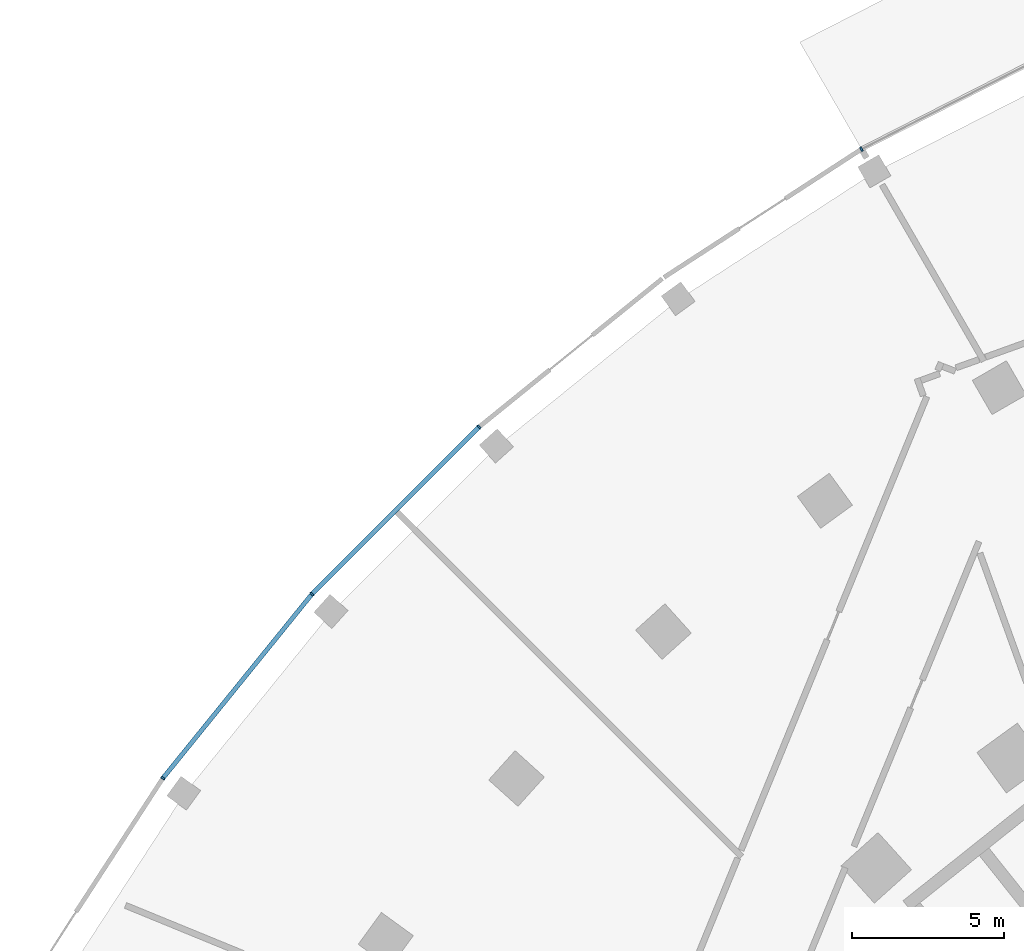
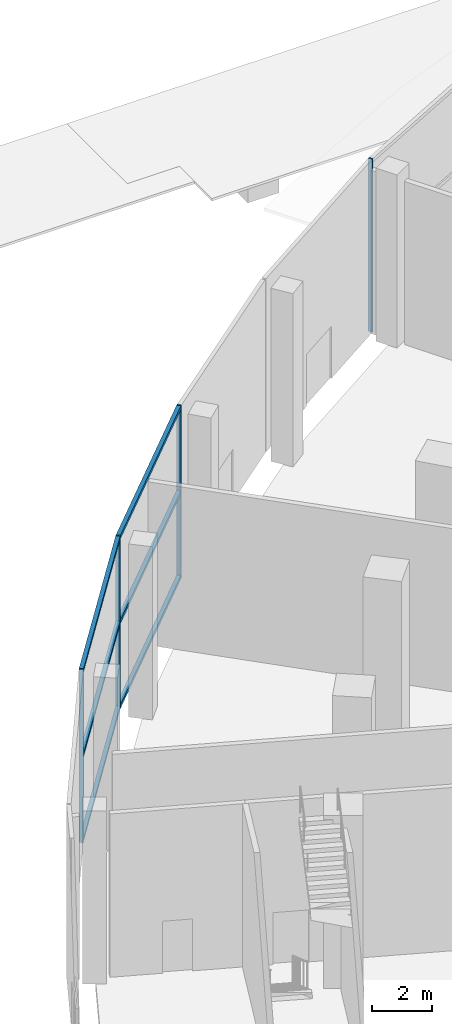
# One storey, part 8 of 60: 10 members, 1 element without a shape of its own.
"""IFC4 building model written with IfcOpenShell, lengths in metres."""

from ifc_helpers import new_model, si_unit, direction, frame, origin, origin_2d, place, context, subcontext, project, spatial, rectangle, extrude, material, layer, layer_set, material_profile, profile_set, type_object, element, aggregate, save


model = new_model("IFC4")

# Units and contexts
model_context = context("Model", 3, precision=1e-05, world=origin(), true_north=direction((0.0, 1.0)))
body_context = subcontext(model_context, "Body", "Model", "MODEL_VIEW")
ifc_project = project(units=[si_unit("LENGTHUNIT", "METRE"), si_unit("AREAUNIT", "SQUARE_METRE"), si_unit("VOLUMEUNIT", "CUBIC_METRE"), si_unit("PLANEANGLEUNIT", "RADIAN"), si_unit("MASSUNIT", "GRAM", prefix="KILO")], contexts=[model_context])

# Site, building, storey
site_placement = place(None, origin())
site = spatial("IfcSite", under=ifc_project, at=site_placement, CompositionType="ELEMENT")
building_placement = place(site_placement, origin())
building = spatial("IfcBuilding", under=site, at=building_placement, Name="Stone Belt Terrace Tower", CompositionType="ELEMENT")
storey_placement = place(building_placement, origin())
storey = spatial("IfcBuildingStorey", under=building, at=storey_placement, Name="L00", CompositionType="ELEMENT", Elevation=0.0)

# Curtain wall, members
ifc_material = material(Name="Aluminium 6063-T6 anodised frame", Category="aluminium")
ifc_layer = layer(ifc_material, 0.14990234375)
ifc_layer_set = layer_set([ifc_layer], Name="CW-D podium shopfront")
curtain_wall_type = type_object("IfcCurtainWallType", Name="CW-D podium shopfront", PredefinedType="NOTDEFINED", material=ifc_layer_set)
curtain_wall_placement = place(storey_placement, origin())
curtain_wall = element("IfcCurtainWall", 1, at=curtain_wall_placement, inside=storey, type_object=curtain_wall_type, Name="CW-D convex face L00", PredefinedType="NOTDEFINED")
ifc_material_profile_1 = material_profile(ifc_material, rectangle(XDim=0.14990234375, YDim=0.06005859375, at=origin_2d()), Name="Aluminium 6063-T6 60x150")
ifc_profile_set_1 = profile_set([ifc_material_profile_1], Name="Aluminium 6063-T6 anodised frame")
member_type_1 = type_object("IfcMemberType", Name="CW-D mullion 60 x 150", PredefinedType="MULLION", material=ifc_profile_set_1)
member_1_placement = place(storey_placement, frame((-37.28759765625, 64.583984375, 0.0), z_axis=(0.0, 0.0, 1.0), x_axis=(0.5, -0.866025403784, 0.0)))
member_1 = element("IfcMember", 2, at=member_1_placement, type_object=member_type_1, Name="CW-D mullion 18", PredefinedType="MULLION", context=body_context, shape_type="SweptSolid", body=[
    extrude(rectangle(XDim=0.14990234375, YDim=0.06005859375, at=origin_2d()), origin(), (0.0, 0.0, 1.0), 7.0),
])
member_2_placement = place(storey_placement, frame((-49.900390625, 55.420166015625, 0.0), z_axis=(0.0, 0.0, 1.0), x_axis=(0.669130606359, -0.743144825477, 0.0)))
member_2 = element("IfcMember", 3, at=member_2_placement, type_object=member_type_1, Name="CW-D mullion 20", PredefinedType="MULLION", context=body_context, shape_type="SweptSolid", body=[
    extrude(rectangle(XDim=0.14990234375, YDim=0.06005859375, at=origin_2d()), origin(), (0.0, 0.0, 1.0), 7.0),
])
member_3_placement = place(storey_placement, frame((-55.420166015625, 49.900390625, 0.0), z_axis=(0.0, 0.0, 1.0), x_axis=(0.743144825477, -0.669130606359, 0.0)))
member_3 = element("IfcMember", 4, at=member_3_placement, type_object=member_type_1, Name="CW-D mullion 21", PredefinedType="MULLION", context=body_context, shape_type="SweptSolid", body=[
    extrude(rectangle(XDim=0.14990234375, YDim=0.06005859375, at=origin_2d()), origin(), (0.0, 0.0, 1.0), 7.0),
])
member_4_placement = place(storey_placement, frame((-60.33251953125, 43.834228515625, 0.0), z_axis=(0.0, 0.0, 1.0), x_axis=(0.809016994375, -0.587785252292, 0.0)))
member_4 = element("IfcMember", 5, at=member_4_placement, type_object=member_type_1, Name="CW-D mullion 22", PredefinedType="MULLION", context=body_context, shape_type="SweptSolid", body=[
    extrude(rectangle(XDim=0.14990234375, YDim=0.06005859375, at=origin_2d()), origin(), (0.0, 0.0, 1.0), 7.0),
])
ifc_material_profile_2 = material_profile(ifc_material, rectangle(XDim=0.14990234375, YDim=0.139892578125, at=origin_2d()), Name="Aluminium 6063-T6 150x140")
ifc_profile_set_2 = profile_set([ifc_material_profile_2], Name="Aluminium 6063-T6 anodised frame")
member_type_2 = type_object("IfcMemberType", Name="CW-D transom 140 x 150", PredefinedType="USERDEFINED", material=ifc_profile_set_2)
member_5_placement = place(storey_placement, frame((-49.924560546875, 55.396240234375, 0.070068359375), z_axis=(-0.707106781187, -0.707106781187, 0.0), x_axis=(0.707106781187, -0.707106781187, 0.0)))
member_5 = element("IfcMember", 6, at=member_5_placement, type_object=member_type_2, Name="CW-D transom 20.1", ObjectType="TRANSOM", PredefinedType="USERDEFINED", context=body_context, shape_type="SweptSolid", body=[
    extrude(rectangle(XDim=0.14990234375, YDim=0.139892578125, at=origin_2d()), origin(), (0.0, 0.0, 1.0), 7.738037109375),
])
member_6_placement = place(storey_placement, frame((-49.924560546875, 55.396240234375, 3.5), z_axis=(-0.707106781187, -0.707106781187, 0.0), x_axis=(0.707106781187, -0.707106781187, 0.0)))
member_6 = element("IfcMember", 7, at=member_6_placement, type_object=member_type_2, Name="CW-D transom 20.2", ObjectType="TRANSOM", PredefinedType="USERDEFINED", context=body_context, shape_type="SweptSolid", body=[
    extrude(rectangle(XDim=0.14990234375, YDim=0.139892578125, at=origin_2d()), origin(), (0.0, 0.0, 1.0), 7.738037109375),
])
member_7_placement = place(storey_placement, frame((-49.924560546875, 55.396240234375, 6.929931640625), z_axis=(-0.707106781187, -0.707106781187, 0.0), x_axis=(0.707106781187, -0.707106781187, 0.0)))
member_7 = element("IfcMember", 8, at=member_7_placement, type_object=member_type_2, Name="CW-D transom 20.3", ObjectType="TRANSOM", PredefinedType="USERDEFINED", context=body_context, shape_type="SweptSolid", body=[
    extrude(rectangle(XDim=0.14990234375, YDim=0.139892578125, at=origin_2d()), origin(), (0.0, 0.0, 1.0), 7.738037109375),
])
member_8_placement = place(storey_placement, frame((-55.44140625, 49.874267578125, 0.070068359375), z_axis=(-0.62932800712, -0.777139794023, 0.0), x_axis=(0.777139794023, -0.62932800712, 0.0)))
member_8 = element("IfcMember", 9, at=member_8_placement, type_object=member_type_2, Name="CW-D transom 21.1", ObjectType="TRANSOM", PredefinedType="USERDEFINED", context=body_context, shape_type="SweptSolid", body=[
    extrude(rectangle(XDim=0.14990234375, YDim=0.139892578125, at=origin_2d()), origin(), (0.0, 0.0, 1.0), 7.73828125),
])
member_9_placement = place(storey_placement, frame((-55.44140625, 49.874267578125, 3.5), z_axis=(-0.62932800712, -0.777139794023, 0.0), x_axis=(0.777139794023, -0.62932800712, 0.0)))
member_9 = element("IfcMember", 10, at=member_9_placement, type_object=member_type_2, Name="CW-D transom 21.2", ObjectType="TRANSOM", PredefinedType="USERDEFINED", context=body_context, shape_type="SweptSolid", body=[
    extrude(rectangle(XDim=0.14990234375, YDim=0.139892578125, at=origin_2d()), origin(), (0.0, 0.0, 1.0), 7.73828125),
])
member_10_placement = place(storey_placement, frame((-55.44140625, 49.874267578125, 6.929931640625), z_axis=(-0.62932800712, -0.777139794023, 0.0), x_axis=(0.777139794023, -0.62932800712, 0.0)))
member_10 = element("IfcMember", 11, at=member_10_placement, type_object=member_type_2, Name="CW-D transom 21.3", ObjectType="TRANSOM", PredefinedType="USERDEFINED", context=body_context, shape_type="SweptSolid", body=[
    extrude(rectangle(XDim=0.14990234375, YDim=0.139892578125, at=origin_2d()), origin(), (0.0, 0.0, 1.0), 7.73828125),
])
aggregate(curtain_wall, [member_1, member_2, member_3, member_4, member_5, member_6, member_7, member_8, member_9, member_10])

save(model, "model.ifc")
